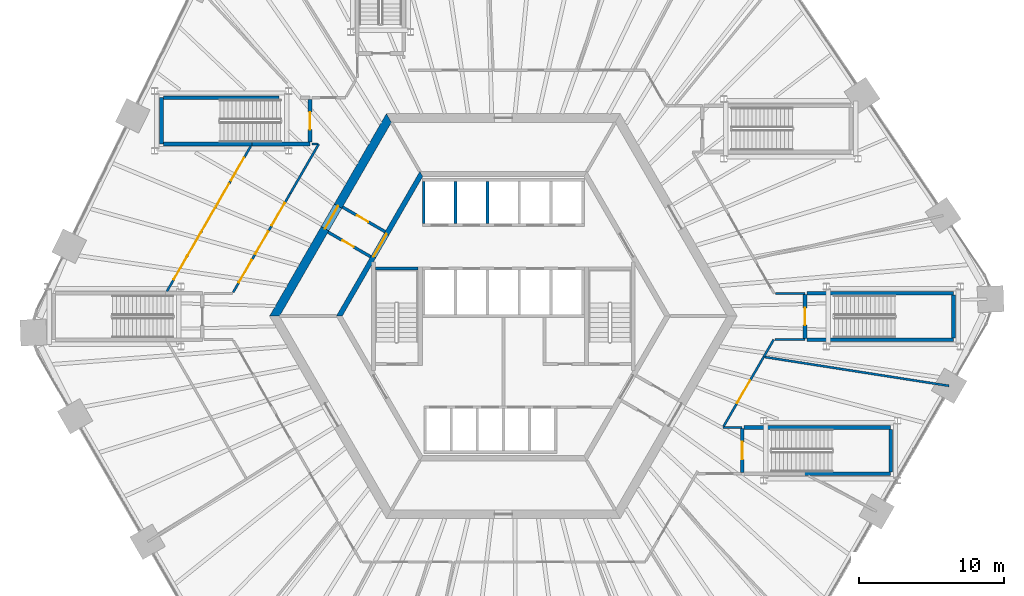
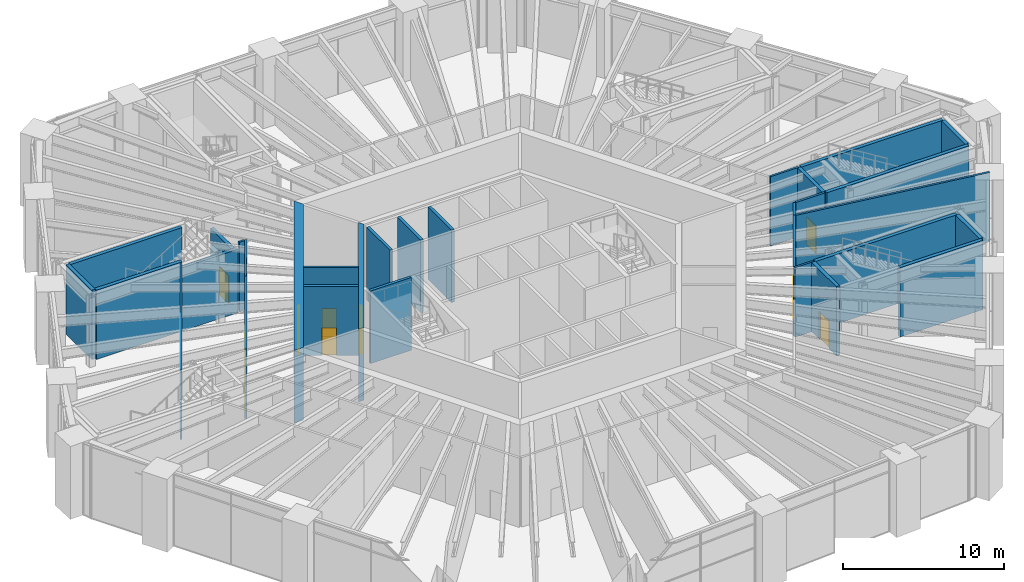
# One storey, part 23 of 30: 31 walls, 16 doors, 16 openings.
"""IFC4 building model written with IfcOpenShell, lengths in metres."""

import ifcopenshell
import ifcopenshell.guid

model = None  # the IFC model being written
_history = None  # IfcOwnerHistory: only IFC2X3 demands one
_inside = {}  # id of a spatial element -> (the spatial element, [elements in it])
_under = {}  # id of a project, library or spatial element -> (it, [spatial elements below it])
_declared = {}  # id of a project -> (the project, [libraries it declares])
_typed = {}  # id of a type object -> (the type object, [elements of that type])
_made_of = {}  # id of a material, layer set ... -> (it, [elements and type objects made of it])


def new_model(schema):
    """Start an empty IFC model of exactly this schema.

    Asked for "IFC4X3", IfcOpenShell would pick the latest addendum, in which some entities
    have other attributes; the version numbers below select the first issue.
    IFC2X3 requires an IfcOwnerHistory on every rooted entity: one is made here for all.
    """
    global model, _history
    if schema == "IFC4X3":
        model = ifcopenshell.file(schema_version=(4, 3, 0, 0))
    else:
        model = ifcopenshell.file(schema=schema)
    _inside.clear()
    _under.clear()
    _declared.clear()
    _typed.clear()
    _made_of.clear()
    _history = None
    if model.schema == "IFC2X3":
        org = make("IfcOrganization", Name="unknown")
        user = make(
            "IfcPersonAndOrganization",
            ThePerson=make("IfcPerson", FamilyName="unknown"),
            TheOrganization=org,
        )
        app = make(
            "IfcApplication",
            ApplicationDeveloper=org,
            Version="unknown",
            ApplicationFullName="unknown",
            ApplicationIdentifier="unknown",
        )
        _history = make(
            "IfcOwnerHistory",
            OwningUser=user,
            OwningApplication=app,
            ChangeAction="ADDED",
            CreationDate=0,
        )
    return model


def make(cls, **values):
    """One entity of the class cls with the attributes given. An attribute that is None is left unset."""
    return model.create_entity(
        cls, **{name: value for name, value in values.items() if value is not None}
    )


def rooted(cls, **values):
    """An entity with a GlobalId (a new one), such as an element, a storey or a relation."""
    return make(cls, GlobalId=ifcopenshell.guid.new(), OwnerHistory=_history, **values)


def si_unit(unit_type, name, prefix=None):
    """IfcSIUnit, for example si_unit("LENGTHUNIT", "METRE", prefix="MILLI")."""
    return make("IfcSIUnit", UnitType=unit_type, Prefix=prefix, Name=name)


def assignment(units):
    """IfcUnitAssignment: the units of a project."""
    return None if units is None else make("IfcUnitAssignment", Units=units)


def point(xyz):
    """IfcCartesianPoint."""
    return None if xyz is None else make("IfcCartesianPoint", Coordinates=xyz)


def direction(xyz):
    """IfcDirection."""
    return None if xyz is None else make("IfcDirection", DirectionRatios=xyz)


def frame(location, z_axis=None, x_axis=None):
    """IfcAxis2Placement3D, a coordinate frame: its origin and axes. An axis left out is left unset."""
    return make(
        "IfcAxis2Placement3D",
        Location=point(location),
        Axis=direction(z_axis),
        RefDirection=direction(x_axis),
    )


def frame_2d(location, x_axis=None):
    """IfcAxis2Placement2D, a coordinate frame in the plane: its origin and x axis."""
    return make(
        "IfcAxis2Placement2D", Location=point(location), RefDirection=direction(x_axis)
    )


def origin():
    """The frame at (0, 0, 0) with its axes left unset."""
    return frame((0.0, 0.0, 0.0))


def place(relative_to, where):
    """IfcLocalPlacement: puts the frame where relative to a parent placement (None: the world)."""
    return make(
        "IfcLocalPlacement", PlacementRelTo=relative_to, RelativePlacement=where
    )


def context(
    kind, dimensions, precision=None, world=None, true_north=None, identifier=None
):
    """IfcGeometricRepresentationContext, for example the 3D "Model" context."""
    return make(
        "IfcGeometricRepresentationContext",
        ContextIdentifier=identifier,
        ContextType=kind,
        CoordinateSpaceDimension=dimensions,
        Precision=precision,
        WorldCoordinateSystem=world,
        TrueNorth=true_north,
    )


def subcontext(parent, identifier, kind, view, scale=None):
    """IfcGeometricRepresentationSubContext, for example "Body" below "Model"."""
    return make(
        "IfcGeometricRepresentationSubContext",
        ContextIdentifier=identifier,
        ContextType=kind,
        ParentContext=parent,
        TargetScale=scale,
        TargetView=view,
    )


def project(units=None, contexts=None):
    """IfcProject with its units and contexts."""
    return rooted(
        "IfcProject",
        Name="project",
        RepresentationContexts=contexts,
        UnitsInContext=assignment(units),
    )


def spatial(cls, under=None, at=None, **own):
    """A site, building, storey or space (cls), placed at a placement, below another one or the project."""
    s = rooted(cls, ObjectPlacement=at, **own)
    if under is not None:
        _under.setdefault(under.id(), (under, []))[1].append(s)
    return s


def polyline(points):
    """IfcPolyline through the points."""
    return make("IfcPolyline", Points=[point(p) for p in points])


def profile(cls, at=None, kind="AREA", **sizes):
    """A parametric profile (cls). Its sizes go by their IFC names, for example OverallWidth=200.0."""
    return make(cls, ProfileType=kind, Position=at, **sizes)


def rectangle(**sizes):
    """IfcRectangleProfileDef."""
    return profile("IfcRectangleProfileDef", **sizes)


def outline(outer, holes=None, kind="AREA"):
    """IfcArbitraryClosedProfileDef: a profile drawn as a closed curve; with holes, ...WithVoids."""
    if holes is None:
        return make("IfcArbitraryClosedProfileDef", ProfileType=kind, OuterCurve=outer)
    return make(
        "IfcArbitraryProfileDefWithVoids",
        ProfileType=kind,
        OuterCurve=outer,
        InnerCurves=holes,
    )


def extrude(swept, where, along, depth):
    """IfcExtrudedAreaSolid: the profile swept, set in the frame where, extruded along a direction by depth."""
    return make(
        "IfcExtrudedAreaSolid",
        SweptArea=swept,
        Position=where,
        ExtrudedDirection=direction(along),
        Depth=depth,
    )


def shape(context_of_items, identifier, shape_type, items):
    """IfcShapeRepresentation: the items that make up one representation, for example the "Body"."""
    return make(
        "IfcShapeRepresentation",
        ContextOfItems=context_of_items,
        RepresentationIdentifier=identifier,
        RepresentationType=shape_type,
        Items=items,
    )


def material(Name=None, Category=None):
    """IfcMaterial."""
    return make("IfcMaterial", Name=Name, Category=Category)


def layer(
    of_material, thickness, ventilated=None, Name=None, Category=None, Priority=None
):
    """IfcMaterialLayer: one layer of a wall or slab, of a material (None: an air gap)."""
    return make(
        "IfcMaterialLayer",
        Material=of_material,
        LayerThickness=thickness,
        IsVentilated=ventilated,
        Name=Name,
        Category=Category,
        Priority=Priority,
    )


def layer_set(layers, Name=None):
    """IfcMaterialLayerSet."""
    return make("IfcMaterialLayerSet", MaterialLayers=layers, LayerSetName=Name)


def made_of(thing, what):
    """Note that an element or type object is made of a material, layer set ...; save() writes the relation."""
    if what is not None:
        _made_of.setdefault(what.id(), (what, []))[1].append(thing)
    return thing


def type_object(cls, material=None, **own):
    """A type object (cls), such as IfcWallType, which elements share."""
    return made_of(rooted(cls, **own), material)


def element(
    cls,
    number,
    at=None,
    inside=None,
    cuts=None,
    type_object=None,
    material=None,
    context=None,
    identifier="Body",
    shape_type=None,
    held_by="IfcProductDefinitionShape",
    body=None,
    shapes=None,
    **own,
):
    """One element of the class cls, such as IfcWall. Its Tag is "e" and its number.

    at: its placement. inside: the storey or other place that contains it. cuts: it is an
    opening in that element (IfcRelVoidsElement). A single representation is given by context,
    identifier, shape_type and body (its items); several are given by shapes. held_by: the class
    of the entity that holds the representations. save() writes the other relations.
    """
    e = rooted(cls, Tag="e%d" % number, ObjectPlacement=at, **own)
    if body is not None:
        shapes = [shape(context, identifier, shape_type, body)]
    if shapes is not None:
        e.Representation = make(held_by, Representations=shapes)
    if inside is not None:
        _inside.setdefault(inside.id(), (inside, []))[1].append(e)
    if cuts is not None:
        rooted(
            "IfcRelVoidsElement", RelatingBuildingElement=cuts, RelatedOpeningElement=e
        )
    if type_object is not None:
        _typed.setdefault(type_object.id(), (type_object, []))[1].append(e)
    return made_of(e, material)


def fill(opening, filler):
    """IfcRelFillsElement: the door or window that sits in an opening."""
    return rooted(
        "IfcRelFillsElement",
        RelatingOpeningElement=opening,
        RelatedBuildingElement=filler,
    )


def aggregate(whole, parts):
    """IfcRelAggregates: a whole, such as a stair, and the parts it consists of."""
    return rooted("IfcRelAggregates", RelatingObject=whole, RelatedObjects=parts)


def save(model, path):
    """Write the relations noted so far, then the file.

    IfcRelAggregates (storeys below a building ...), IfcRelContainedInSpatialStructure (elements
    in a storey), IfcRelDefinesByType, IfcRelAssociatesMaterial and IfcRelDeclares: one each for
    every whole, place, type object, material and project.
    """
    for whole, parts in _under.values():
        aggregate(whole, parts)
    for where, things in _inside.values():
        rooted(
            "IfcRelContainedInSpatialStructure",
            RelatedElements=things,
            RelatingStructure=where,
        )
    for kind, things in _typed.values():
        rooted("IfcRelDefinesByType", RelatedObjects=things, RelatingType=kind)
    for what, things in _made_of.values():
        rooted("IfcRelAssociatesMaterial", RelatedObjects=things, RelatingMaterial=what)
    for by, libraries in _declared.values():
        rooted("IfcRelDeclares", RelatingContext=by, RelatedDefinitions=libraries)
    model.write(path)


model = new_model("IFC4")

# Units and contexts
model_context = context("Model", 3, precision=1e-05, world=origin(), true_north=direction((0.0, 1.0)))
body_context = subcontext(model_context, "Body", "Model", "MODEL_VIEW")
ifc_project = project(units=[si_unit("LENGTHUNIT", "METRE"), si_unit("AREAUNIT", "SQUARE_METRE"), si_unit("VOLUMEUNIT", "CUBIC_METRE"), si_unit("PLANEANGLEUNIT", "RADIAN"), si_unit("MASSUNIT", "GRAM", prefix="KILO")], contexts=[model_context])

# Site, building, storey
site_placement = place(None, origin())
site = spatial("IfcSite", under=ifc_project, at=site_placement, CompositionType="ELEMENT")
building_placement = place(site_placement, origin())
building = spatial("IfcBuilding", under=site, at=building_placement, Name="Tarnside Tower", CompositionType="ELEMENT")
storey_placement = place(building_placement, frame((0.0, 0.0, 15.0)))
storey = spatial("IfcBuildingStorey", under=building, at=storey_placement, Name="L02", CompositionType="ELEMENT", Elevation=15.0)

# Wall, opening, door
ifc_material_1 = material(Name="Concrete C50/60", Category="concrete")
ifc_layer_1 = layer(ifc_material_1, 0.35009765625)
ifc_layer_set_1 = layer_set([ifc_layer_1], Name="Core block wall 350 C50/60")
wall_type_1 = type_object("IfcWallType", Name="Core block wall 350 C50/60", PredefinedType="SHEAR", material=ifc_layer_set_1)
wall_1_placement = place(storey_placement, frame((-5.672607421875, 9.824951171875, -0.25), z_axis=(0.0, 0.0, 1.0), x_axis=(-0.499995046907, -0.866028263435, 0.0)))
wall_1 = element("IfcWall", 1, at=wall_1_placement, inside=storey, type_object=wall_type_1, Name="L02 core block wall face 2", PredefinedType="SHEAR", context=body_context, shape_type="SweptSolid", body=[
    extrude(outline(polyline([(-0.10107421875, -0.175048828125), (11.44580078125, -0.175048828125), (11.24365234375, 0.175048828125), (0.10107421875, 0.175048828125), (-0.10107421875, -0.175048828125)])), origin(), (0.0, 0.0, 1.0), 5.5),
])
opening_1_placement = place(wall_1_placement, frame((4.80126953125, 0.0, 0.25)))
opening_1 = element("IfcOpeningElement", 2, at=opening_1_placement, cuts=wall_1, Name="Opening CD-LOB", PredefinedType="OPENING", context=body_context, shape_type="SweptSolid", body=[
    extrude(rectangle(XDim=1.800048828125, YDim=2.39990234375, at=frame_2d((0.89990234375, 1.199951171875))), frame((0.0, 0.18505859375, 0.0), z_axis=(0.0, -1.0, 0.0), x_axis=(1.0, 0.0, 0.0)), (0.0, 0.0, 1.0), 0.3701171875),
])
ifc_material_2 = material(Name="Steel fire door", Category="steel")
door_type_1 = type_object("IfcDoorType", Name="Lobby double door FD30S 1800x2400", OperationType="NOTDEFINED", PredefinedType="DOOR", material=ifc_material_2)
door_1_placement = place(opening_1_placement, origin())
door_1 = element("IfcDoor", 3, at=door_1_placement, inside=storey, type_object=door_type_1, Name="L02 lobby block door P1", OperationType="DOUBLE_DOOR_SINGLE_SWING", OverallHeight=2.39990234375, OverallWidth=1.800048828125, PredefinedType="DOOR", context=body_context, shape_type="SweptSolid", body=[
    extrude(rectangle(XDim=1.800048828125, YDim=2.39990234375, at=frame_2d((0.89990234375, 1.199951171875))), frame((0.0, 0.02490234375, 0.0), z_axis=(0.0, -1.0, 0.0), x_axis=(1.0, 0.0, 0.0)), (0.0, 0.0, 1.0), 0.050048828125),
])
fill(opening_1, door_1)

ifc_material_3 = material(Name="Concrete C40/50", Category="concrete")
ifc_layer_2 = layer(ifc_material_3, 0.199951171875)
ifc_layer_set_2 = layer_set([ifc_layer_2], Name="Core room partition 200 C40/50")
wall_type_2 = type_object("IfcWallType", Name="Core room partition 200 C40/50", PredefinedType="PARTITIONING", material=ifc_layer_set_2)
wall_2_placement = place(storey_placement, frame((-9.1748046875, 4.10888671875, 0.0), z_axis=(0.0, 0.0, 1.0), x_axis=(-0.865989465428, 0.500062241894, 0.0)))
wall_2 = element("IfcWall", 4, at=wall_2_placement, inside=storey, type_object=wall_type_2, Name="L02 core partition AC1L", PredefinedType="PARTITIONING", context=body_context, shape_type="SweptSolid", body=[
    extrude(rectangle(XDim=3.39990234375, YDim=0.199951171875, at=frame_2d((1.699951171875, 0.0))), origin(), (0.0, 0.0, 1.0), 5.25),
])
opening_2_placement = place(wall_2_placement, frame((1.3505859375, 0.0, 0.0)))
opening_2 = element("IfcOpeningElement", 5, at=opening_2_placement, cuts=wall_2, Name="Opening CD-room", PredefinedType="OPENING", context=body_context, shape_type="SweptSolid", body=[
    extrude(rectangle(XDim=0.89990234375, YDim=2.10009765625, at=frame_2d((0.449951171875, 1.050048828125))), frame((0.0, 0.10986328125, 0.0), z_axis=(0.0, -1.0, 0.0), x_axis=(1.0, 0.0, 0.0)), (0.0, 0.0, 1.0), 0.219970703125),
])
door_type_2 = type_object("IfcDoorType", Name="Room door FD60 900x2100", OperationType="NOTDEFINED", PredefinedType="DOOR", material=ifc_material_2)
door_2_placement = place(opening_2_placement, origin())
door_2 = element("IfcDoor", 6, at=door_2_placement, inside=storey, type_object=door_type_2, Name="L02 core room door AX1L", OperationType="SINGLE_SWING_LEFT", OverallHeight=2.10009765625, OverallWidth=0.89990234375, PredefinedType="DOOR", context=body_context, shape_type="SweptSolid", body=[
    extrude(rectangle(XDim=0.89990234375, YDim=2.10009765625, at=frame_2d((0.449951171875, 1.050048828125))), frame((0.0, 0.02490234375, 0.0), z_axis=(0.0, -1.0, 0.0), x_axis=(1.0, 0.0, 0.0)), (0.0, 0.0, 1.0), 0.050048828125),
])
fill(opening_2, door_2)

wall_3_placement = place(storey_placement, frame((-8.1748046875, 5.841064453125, 0.0), z_axis=(0.0, 0.0, 1.0), x_axis=(-0.866020560687, 0.500008388397, 0.0)))
wall_3 = element("IfcWall", 7, at=wall_3_placement, inside=storey, type_object=wall_type_2, Name="L02 core partition AC1R", PredefinedType="PARTITIONING", context=body_context, shape_type="SweptSolid", body=[
    extrude(rectangle(XDim=3.39990234375, YDim=0.199951171875, at=frame_2d((1.699951171875, 0.0))), origin(), (0.0, 0.0, 1.0), 5.25),
])
opening_3_placement = place(wall_3_placement, frame((1.349609375, 0.0, 0.0)))
opening_3 = element("IfcOpeningElement", 8, at=opening_3_placement, cuts=wall_3, Name="Opening CD-room", PredefinedType="OPENING", context=body_context, shape_type="SweptSolid", body=[
    extrude(rectangle(XDim=0.89990234375, YDim=2.10009765625, at=frame_2d((0.449951171875, 1.050048828125))), frame((0.0, 0.10986328125, 0.0), z_axis=(0.0, -1.0, 0.0), x_axis=(1.0, 0.0, 0.0)), (0.0, 0.0, 1.0), 0.219970703125),
])
door_3_placement = place(opening_3_placement, origin())
door_3 = element("IfcDoor", 9, at=door_3_placement, inside=storey, type_object=door_type_2, Name="L02 core room door AX1R", OperationType="SINGLE_SWING_LEFT", OverallHeight=2.10009765625, OverallWidth=0.89990234375, PredefinedType="DOOR", context=body_context, shape_type="SweptSolid", body=[
    extrude(rectangle(XDim=0.89990234375, YDim=2.10009765625, at=frame_2d((0.449951171875, 1.050048828125))), frame((0.0, 0.02490234375, 0.0), z_axis=(0.0, -1.0, 0.0), x_axis=(1.0, 0.0, 0.0)), (0.0, 0.0, 1.0), 0.050048828125),
])
fill(opening_3, door_3)

ifc_material_4 = material(Name="Concrete C80/95", Category="concrete")
ifc_layer_3 = layer(ifc_material_4, 0.60009765625)
ifc_layer_set_3 = layer_set([ifc_layer_3], Name="Core wall Z1 600 C80/95")
wall_type_3 = type_object("IfcWallType", Name="Core wall Z1 600 C80/95", PredefinedType="SHEAR", material=ifc_layer_set_3)
wall_4_placement = place(storey_placement, frame((-7.90966796875, 13.699951171875, -0.25), z_axis=(0.0, 0.0, 1.0), x_axis=(-0.499999880136, -0.866025472988, 0.0)))
wall_4 = element("IfcWall", 10, at=wall_4_placement, inside=storey, type_object=wall_type_3, Name="L02 core wall face 2", PredefinedType="SHEAR", context=body_context, shape_type="SweptSolid", body=[
    extrude(outline(polyline([(-0.17333984375, -0.300048828125), (15.99267578125, -0.300048828125), (15.64599609375, 0.300048828125), (0.17333984375, 0.300048828125), (-0.17333984375, -0.300048828125)])), origin(), (0.0, 0.0, 1.0), 5.5),
])
opening_4_placement = place(wall_4_placement, frame((7.03857421875, 0.0, 0.25)))
opening_4 = element("IfcOpeningElement", 11, at=opening_4_placement, cuts=wall_4, Name="Opening CD-LOB", PredefinedType="OPENING", context=body_context, shape_type="SweptSolid", body=[
    extrude(rectangle(XDim=1.800048828125, YDim=2.39990234375, at=frame_2d((0.89990234375, 1.199951171875))), frame((0.0, 0.31005859375, 0.0), z_axis=(0.0, -1.0, 0.0), x_axis=(1.0, 0.0, 0.0)), (0.0, 0.0, 1.0), 0.6201171875),
])
door_4_placement = place(opening_4_placement, origin())
door_4 = element("IfcDoor", 12, at=door_4_placement, inside=storey, type_object=door_type_1, Name="L02 core door P1", OperationType="DOUBLE_DOOR_SINGLE_SWING", OverallHeight=2.39990234375, OverallWidth=1.800048828125, PredefinedType="DOOR", context=body_context, shape_type="SweptSolid", body=[
    extrude(rectangle(XDim=1.800048828125, YDim=2.39990234375, at=frame_2d((0.89990234375, 1.199951171875))), frame((0.0, 0.02490234375, 0.0), z_axis=(0.0, -1.0, 0.0), x_axis=(1.0, 0.0, 0.0)), (0.0, 0.0, 1.0), 0.050048828125),
])
fill(opening_4, door_4)

# Walls
ifc_layer_4 = layer(ifc_material_3, 0.199951171875)
ifc_layer_set_4 = layer_set([ifc_layer_4], Name="Lift shaft wall 200 C40/50")
wall_type_4 = type_object("IfcWallType", Name="Lift shaft wall 200 C40/50", PredefinedType="SHEAR", material=ifc_layer_set_4)
for number, where, z_axis, x_axis, name in (
    (13, (-5.5, 6.39990234375, -0.25), (0.0, 0.0, 1.0), (0.0, 1.0, 0.0), "L02 lift shaft partition R11"),
    (14, (-3.300048828125, 6.39990234375, -0.25), (0.0, 0.0, 1.0), (0.0, 1.0, 0.0), "L02 lift shaft partition R12"),
    (15, (-1.10009765625, 6.39990234375, -0.25), (0.0, 0.0, 1.0), (0.0, 1.0, 0.0), "L02 lift shaft partition R13"),
):
    element("IfcWall", number, at=place(storey_placement, frame(where, z_axis=z_axis, x_axis=x_axis)), inside=storey, type_object=wall_type_4, Name=name, PredefinedType="SHEAR", context=body_context, shape_type="SweptSolid", body=[
        extrude(rectangle(XDim=2.900146484375, YDim=0.199951171875, at=frame_2d((1.4501953125, 0.0))), origin(), (0.0, 0.0, 1.0), 5.5),
    ])
wall_5_placement = place(storey_placement, frame((-8.85009765625, 3.300048828125, -0.25), z_axis=(0.0, 0.0, 1.0), x_axis=(1.0, 0.0, 0.0)))
element("IfcWall", 16, at=wall_5_placement, inside=storey, type_object=wall_type_4, Name="L02 stair 2 enclosure cap wall n", PredefinedType="SHEAR", context=body_context, shape_type="SweptSolid", body=[
    extrude(rectangle(XDim=2.9501953125, YDim=0.199951171875, at=frame_2d((1.47509765625, 0.0))), origin(), (0.0, 0.0, 1.0), 5.5),
])

# Wall, openings, doors
ifc_material_5 = material(Name="Gypsum board")
ifc_layer_5 = layer(ifc_material_5, 0.14990234375)
ifc_layer_set_5 = layer_set([ifc_layer_5], Name="Partition 150 gypsum board on metal stud")
wall_type_5 = type_object("IfcWallType", Name="Partition 150 gypsum board on metal stud", PredefinedType="PARTITIONING", material=ifc_layer_set_5)
wall_6_placement = place(storey_placement, frame((-23.267822265625, 1.699951171875, 0.0), z_axis=(0.0, 0.0, 1.0), x_axis=(0.500054871588, 0.86599372134, 0.0)))
wall_6 = element("IfcWall", 17, at=wall_6_placement, inside=storey, type_object=wall_type_5, Name="Partition 017", PredefinedType="PARTITIONING", context=body_context, shape_type="SweptSolid", body=[
    extrude(rectangle(XDim=11.634033203125, YDim=0.14990234375, at=frame_2d((5.81689453125, 0.0))), origin(), (0.0, 0.0, 1.0), 5.25),
])
opening_5_placement = place(wall_6_placement, frame((8.87939453125, 0.0, 0.0)))
opening_5 = element("IfcOpeningElement", 18, at=opening_5_placement, cuts=wall_6, Name="Opening D1800F30", PredefinedType="OPENING", context=body_context, shape_type="SweptSolid", body=[
    extrude(rectangle(XDim=1.800048828125, YDim=2.10009765625, at=frame_2d((0.89990234375, 1.050048828125))), frame((0.0, 0.0849609375, 0.0), z_axis=(0.0, -1.0, 0.0), x_axis=(1.0, 0.0, 0.0)), (0.0, 0.0, 1.0), 0.169921875),
])
opening_6_placement = place(wall_6_placement, frame((6.8037109375, 0.0, 0.0)))
opening_6 = element("IfcOpeningElement", 19, at=opening_6_placement, cuts=wall_6, Name="Opening D1800F30", PredefinedType="OPENING", context=body_context, shape_type="SweptSolid", body=[
    extrude(rectangle(XDim=1.800048828125, YDim=2.10009765625, at=frame_2d((0.89990234375, 1.050048828125))), frame((0.0, 0.0849609375, 0.0), z_axis=(0.0, -1.0, 0.0), x_axis=(1.0, 0.0, 0.0)), (0.0, 0.0, 1.0), 0.169921875),
])
opening_7_placement = place(wall_6_placement, frame((4.853759765625, 0.0, 0.0)))
opening_7 = element("IfcOpeningElement", 20, at=opening_7_placement, cuts=wall_6, Name="Opening D1800F30", PredefinedType="OPENING", context=body_context, shape_type="SweptSolid", body=[
    extrude(rectangle(XDim=1.800048828125, YDim=2.10009765625, at=frame_2d((0.89990234375, 1.050048828125))), frame((0.0, 0.0849609375, 0.0), z_axis=(0.0, -1.0, 0.0), x_axis=(1.0, 0.0, 0.0)), (0.0, 0.0, 1.0), 0.169921875),
])
opening_8_placement = place(wall_6_placement, frame((2.90380859375, 0.0, 0.0)))
opening_8 = element("IfcOpeningElement", 21, at=opening_8_placement, cuts=wall_6, Name="Opening D1800F30", PredefinedType="OPENING", context=body_context, shape_type="SweptSolid", body=[
    extrude(rectangle(XDim=1.800048828125, YDim=2.10009765625, at=frame_2d((0.89990234375, 1.050048828125))), frame((0.0, 0.0849609375, 0.0), z_axis=(0.0, -1.0, 0.0), x_axis=(1.0, 0.0, 0.0)), (0.0, 0.0, 1.0), 0.169921875),
])
opening_9_placement = place(wall_6_placement, frame((0.954833984375, 0.0, 0.0)))
opening_9 = element("IfcOpeningElement", 22, at=opening_9_placement, cuts=wall_6, Name="Opening D1800F30", PredefinedType="OPENING", context=body_context, shape_type="SweptSolid", body=[
    extrude(rectangle(XDim=1.800048828125, YDim=2.10009765625, at=frame_2d((0.89990234375, 1.050048828125))), frame((0.0, 0.0849609375, 0.0), z_axis=(0.0, -1.0, 0.0), x_axis=(1.0, 0.0, 0.0)), (0.0, 0.0, 1.0), 0.169921875),
])
ifc_material_6 = material(Name="Timber door leaf", Category="wood")
door_type_3 = type_object("IfcDoorType", Name="Door pair 1800 x 2100 FD30S fire door", OperationType="NOTDEFINED", PredefinedType="DOOR", material=ifc_material_6)
door_5_placement = place(opening_5_placement, origin())
door_5 = element("IfcDoor", 23, at=door_5_placement, inside=storey, type_object=door_type_3, Name="Door L02-05", OperationType="DOUBLE_DOOR_SINGLE_SWING", OverallHeight=2.10009765625, OverallWidth=1.800048828125, PredefinedType="DOOR", context=body_context, shape_type="SweptSolid", body=[
    extrude(rectangle(XDim=1.800048828125, YDim=2.10009765625, at=frame_2d((0.89990234375, 1.050048828125))), frame((0.0, 0.02490234375, 0.0), z_axis=(0.0, -1.0, 0.0), x_axis=(1.0, 0.0, 0.0)), (0.0, 0.0, 1.0), 0.050048828125),
])
fill(opening_5, door_5)
door_6_placement = place(opening_6_placement, origin())
door_6 = element("IfcDoor", 24, at=door_6_placement, inside=storey, type_object=door_type_3, Name="Door L02-06", OperationType="DOUBLE_DOOR_SINGLE_SWING", OverallHeight=2.10009765625, OverallWidth=1.800048828125, PredefinedType="DOOR", context=body_context, shape_type="SweptSolid", body=[
    extrude(rectangle(XDim=1.800048828125, YDim=2.10009765625, at=frame_2d((0.89990234375, 1.050048828125))), frame((0.0, 0.02490234375, 0.0), z_axis=(0.0, -1.0, 0.0), x_axis=(1.0, 0.0, 0.0)), (0.0, 0.0, 1.0), 0.050048828125),
])
fill(opening_6, door_6)
door_7_placement = place(opening_7_placement, origin())
door_7 = element("IfcDoor", 25, at=door_7_placement, inside=storey, type_object=door_type_3, Name="Door L02-07", OperationType="DOUBLE_DOOR_SINGLE_SWING", OverallHeight=2.10009765625, OverallWidth=1.800048828125, PredefinedType="DOOR", context=body_context, shape_type="SweptSolid", body=[
    extrude(rectangle(XDim=1.800048828125, YDim=2.10009765625, at=frame_2d((0.89990234375, 1.050048828125))), frame((0.0, 0.02490234375, 0.0), z_axis=(0.0, -1.0, 0.0), x_axis=(1.0, 0.0, 0.0)), (0.0, 0.0, 1.0), 0.050048828125),
])
fill(opening_7, door_7)
door_8_placement = place(opening_8_placement, origin())
door_8 = element("IfcDoor", 26, at=door_8_placement, inside=storey, type_object=door_type_3, Name="Door L02-08", OperationType="DOUBLE_DOOR_SINGLE_SWING", OverallHeight=2.10009765625, OverallWidth=1.800048828125, PredefinedType="DOOR", context=body_context, shape_type="SweptSolid", body=[
    extrude(rectangle(XDim=1.800048828125, YDim=2.10009765625, at=frame_2d((0.89990234375, 1.050048828125))), frame((0.0, 0.02490234375, 0.0), z_axis=(0.0, -1.0, 0.0), x_axis=(1.0, 0.0, 0.0)), (0.0, 0.0, 1.0), 0.050048828125),
])
fill(opening_8, door_8)
door_9_placement = place(opening_9_placement, origin())
door_9 = element("IfcDoor", 27, at=door_9_placement, inside=storey, type_object=door_type_3, Name="Door L02-09", OperationType="DOUBLE_DOOR_SINGLE_SWING", OverallHeight=2.10009765625, OverallWidth=1.800048828125, PredefinedType="DOOR", context=body_context, shape_type="SweptSolid", body=[
    extrude(rectangle(XDim=1.800048828125, YDim=2.10009765625, at=frame_2d((0.89990234375, 1.050048828125))), frame((0.0, 0.02490234375, 0.0), z_axis=(0.0, -1.0, 0.0), x_axis=(1.0, 0.0, 0.0)), (0.0, 0.0, 1.0), 0.050048828125),
])
fill(opening_9, door_9)

wall_7_placement = place(storey_placement, frame((-14.722900390625, 8.5, 0.0), z_axis=(0.0, 0.0, 1.0), x_axis=(-0.499993197506, -0.86602933117, 0.0)))
wall_7 = element("IfcWall", 28, at=wall_7_placement, inside=storey, type_object=wall_type_5, Name="Partition 020", PredefinedType="PARTITIONING", context=body_context, shape_type="SweptSolid", body=[
    extrude(rectangle(XDim=7.90966796875, YDim=0.14990234375, at=frame_2d((3.954833984375, 0.0))), origin(), (0.0, 0.0, 1.0), 5.25),
])
opening_10_placement = place(wall_7_placement, frame((0.77099609375, 0.0, 0.0)))
opening_10 = element("IfcOpeningElement", 29, at=opening_10_placement, cuts=wall_7, Name="Opening D1800F30", PredefinedType="OPENING", context=body_context, shape_type="SweptSolid", body=[
    extrude(rectangle(XDim=1.800048828125, YDim=2.10009765625, at=frame_2d((0.89990234375, 1.050048828125))), frame((0.0, 0.0849609375, 0.0), z_axis=(0.0, -1.0, 0.0), x_axis=(1.0, 0.0, 0.0)), (0.0, 0.0, 1.0), 0.169921875),
])
opening_11_placement = place(wall_7_placement, frame((3.054931640625, 0.0, 0.0)))
opening_11 = element("IfcOpeningElement", 30, at=opening_11_placement, cuts=wall_7, Name="Opening D1800F30", PredefinedType="OPENING", context=body_context, shape_type="SweptSolid", body=[
    extrude(rectangle(XDim=1.800048828125, YDim=2.10009765625, at=frame_2d((0.89990234375, 1.050048828125))), frame((0.0, 0.0849609375, 0.0), z_axis=(0.0, -1.0, 0.0), x_axis=(1.0, 0.0, 0.0)), (0.0, 0.0, 1.0), 0.169921875),
])
opening_12_placement = place(wall_7_placement, frame((5.338623046875, 0.0, 0.0)))
opening_12 = element("IfcOpeningElement", 31, at=opening_12_placement, cuts=wall_7, Name="Opening D1800F30", PredefinedType="OPENING", context=body_context, shape_type="SweptSolid", body=[
    extrude(rectangle(XDim=1.800048828125, YDim=2.10009765625, at=frame_2d((0.89990234375, 1.050048828125))), frame((0.0, 0.0849609375, 0.0), z_axis=(0.0, -1.0, 0.0), x_axis=(1.0, 0.0, 0.0)), (0.0, 0.0, 1.0), 0.169921875),
])
door_10_placement = place(opening_10_placement, origin())
door_10 = element("IfcDoor", 32, at=door_10_placement, inside=storey, type_object=door_type_3, Name="Door L02-10", OperationType="DOUBLE_DOOR_SINGLE_SWING", OverallHeight=2.10009765625, OverallWidth=1.800048828125, PredefinedType="DOOR", context=body_context, shape_type="SweptSolid", body=[
    extrude(rectangle(XDim=1.800048828125, YDim=2.10009765625, at=frame_2d((0.89990234375, 1.050048828125))), frame((0.0, 0.02490234375, 0.0), z_axis=(0.0, -1.0, 0.0), x_axis=(1.0, 0.0, 0.0)), (0.0, 0.0, 1.0), 0.050048828125),
])
fill(opening_10, door_10)
door_11_placement = place(opening_11_placement, origin())
door_11 = element("IfcDoor", 33, at=door_11_placement, inside=storey, type_object=door_type_3, Name="Door L02-11", OperationType="DOUBLE_DOOR_SINGLE_SWING", OverallHeight=2.10009765625, OverallWidth=1.800048828125, PredefinedType="DOOR", context=body_context, shape_type="SweptSolid", body=[
    extrude(rectangle(XDim=1.800048828125, YDim=2.10009765625, at=frame_2d((0.89990234375, 1.050048828125))), frame((0.0, 0.02490234375, 0.0), z_axis=(0.0, -1.0, 0.0), x_axis=(1.0, 0.0, 0.0)), (0.0, 0.0, 1.0), 0.050048828125),
])
fill(opening_11, door_11)
door_12_placement = place(opening_12_placement, origin())
door_12 = element("IfcDoor", 34, at=door_12_placement, inside=storey, type_object=door_type_3, Name="Door L02-12", OperationType="DOUBLE_DOOR_SINGLE_SWING", OverallHeight=2.10009765625, OverallWidth=1.800048828125, PredefinedType="DOOR", context=body_context, shape_type="SweptSolid", body=[
    extrude(rectangle(XDim=1.800048828125, YDim=2.10009765625, at=frame_2d((0.89990234375, 1.050048828125))), frame((0.0, 0.02490234375, 0.0), z_axis=(0.0, -1.0, 0.0), x_axis=(1.0, 0.0, 0.0)), (0.0, 0.0, 1.0), 0.050048828125),
])
fill(opening_12, door_12)

# Walls
wall_8_placement = place(storey_placement, frame((-12.760009765625, 11.89990234375, 0.0), z_axis=(0.0, 0.0, 1.0), x_axis=(-0.50009934258, -0.865968040721, 0.0)))
element("IfcWall", 35, at=wall_8_placement, inside=storey, type_object=wall_type_5, Name="Partition 026", PredefinedType="PARTITIONING", context=body_context, shape_type="SweptSolid", body=[
    extrude(rectangle(XDim=3.925048828125, YDim=0.14990234375, at=frame_2d((1.96240234375, 0.0))), origin(), (0.0, 0.0, 1.0), 5.25),
])
wall_9_placement = place(storey_placement, frame((-12.845703125, 11.89990234375, 0.0), z_axis=(0.0, 0.0, 1.0), x_axis=(-1.0, 0.0, 0.0)))
element("IfcWall", 36, at=wall_9_placement, inside=storey, type_object=wall_type_5, Name="Partition 027", PredefinedType="PARTITIONING", context=body_context, shape_type="SweptSolid", body=[
    extrude(rectangle(XDim=0.394287109375, YDim=0.14990234375, at=frame_2d((0.197265625, 0.0))), origin(), (0.0, 0.0, 1.0), 5.25),
])
wall_10_placement = place(storey_placement, frame((15.18408203125, -7.699951171875, 0.0), z_axis=(0.0, 0.0, 1.0), x_axis=(1.0, 0.0, 0.0)))
element("IfcWall", 37, at=wall_10_placement, inside=storey, type_object=wall_type_5, Name="Partition 063", PredefinedType="PARTITIONING", context=body_context, shape_type="SweptSolid", body=[
    extrude(rectangle(XDim=1.330810546875, YDim=0.14990234375, at=frame_2d((0.66552734375, 0.0))), origin(), (0.0, 0.0, 1.0), 5.25),
])

# Wall, opening, door
wall_11_placement = place(storey_placement, frame((18.00390625, -2.81591796875, 0.0), z_axis=(0.0, 0.0, 1.0), x_axis=(-0.500011685716, -0.866018656928, 0.0)))
wall_11 = element("IfcWall", 38, at=wall_11_placement, inside=storey, type_object=wall_type_5, Name="Partition 064", PredefinedType="PARTITIONING", context=body_context, shape_type="SweptSolid", body=[
    extrude(rectangle(XDim=5.552978515625, YDim=0.14990234375, at=frame_2d((2.7763671875, 0.0))), origin(), (0.0, 0.0, 1.0), 5.25),
])
opening_13_placement = place(wall_11_placement, frame((1.87646484375, 0.0, 0.0)))
opening_13 = element("IfcOpeningElement", 39, at=opening_13_placement, cuts=wall_11, Name="Opening D1800F30", PredefinedType="OPENING", context=body_context, shape_type="SweptSolid", body=[
    extrude(rectangle(XDim=1.800048828125, YDim=2.10009765625, at=frame_2d((0.89990234375, 1.050048828125))), frame((0.0, 0.0849609375, 0.0), z_axis=(0.0, -1.0, 0.0), x_axis=(1.0, 0.0, 0.0)), (0.0, 0.0, 1.0), 0.169921875),
])
door_13_placement = place(opening_13_placement, origin())
door_13 = element("IfcDoor", 40, at=door_13_placement, inside=storey, type_object=door_type_3, Name="Door L02-29", OperationType="DOUBLE_DOOR_SINGLE_SWING", OverallHeight=2.10009765625, OverallWidth=1.800048828125, PredefinedType="DOOR", context=body_context, shape_type="SweptSolid", body=[
    extrude(rectangle(XDim=1.800048828125, YDim=2.10009765625, at=frame_2d((0.89990234375, 1.050048828125))), frame((0.0, 0.02490234375, 0.0), z_axis=(0.0, -1.0, 0.0), x_axis=(1.0, 0.0, 0.0)), (0.0, 0.0, 1.0), 0.050048828125),
])
fill(opening_13, door_13)

# Walls
wall_12_placement = place(storey_placement, frame((18.00390625, -2.81591796875, 0.0), z_axis=(0.0, 0.0, 1.0), x_axis=(0.500224363519, 0.865895828689, 0.0)))
element("IfcWall", 41, at=wall_12_placement, inside=storey, type_object=wall_type_5, Name="Partition 071", PredefinedType="PARTITIONING", context=body_context, shape_type="SweptSolid", body=[
    extrude(rectangle(XDim=1.375244140625, YDim=0.14990234375, at=frame_2d((0.6875, 0.0))), origin(), (0.0, 0.0, 1.0), 5.25),
])
wall_13_placement = place(storey_placement, frame((18.8076171875, 1.574951171875, 0.0), z_axis=(0.0, 0.0, 1.0), x_axis=(1.0, 0.0, 0.0)))
element("IfcWall", 42, at=wall_13_placement, inside=storey, type_object=wall_type_5, Name="Partition 073", PredefinedType="PARTITIONING", context=body_context, shape_type="SweptSolid", body=[
    extrude(rectangle(XDim=2.04736328125, YDim=0.14990234375, at=frame_2d((1.023681640625, 0.0))), origin(), (0.0, 0.0, 1.0), 5.25),
])
wall_14_placement = place(storey_placement, frame((20.85498046875, -1.625, 0.0), z_axis=(0.0, 0.0, 1.0), x_axis=(-1.0, 0.0, 0.0)))
element("IfcWall", 43, at=wall_14_placement, inside=storey, type_object=wall_type_5, Name="Partition 076", PredefinedType="PARTITIONING", context=body_context, shape_type="SweptSolid", body=[
    extrude(rectangle(XDim=2.076416015625, YDim=0.14990234375, at=frame_2d((1.0380859375, 0.0))), origin(), (0.0, 0.0, 1.0), 5.25),
])
wall_15_placement = place(storey_placement, frame((30.819091796875, -4.820068359375, 0.0), z_axis=(0.0, 0.0, 1.0), x_axis=(-0.98799117117, 0.154510341693, 0.0)))
element("IfcWall", 44, at=wall_15_placement, inside=storey, type_object=wall_type_5, Name="Partition 086", PredefinedType="PARTITIONING", context=body_context, shape_type="SweptSolid", body=[
    extrude(rectangle(XDim=12.890380859375, YDim=0.14990234375, at=frame_2d((6.4453125, 0.0))), origin(), (0.0, 0.0, 1.0), 5.25),
])
ifc_material_7 = material(Name="Concrete C32/40", Category="concrete")
ifc_layer_6 = layer(ifc_material_7, 0.25)
ifc_layer_set_6 = layer_set([ifc_layer_6], Name="Wall 250 reinforced Concrete C32/40")
wall_type_6 = type_object("IfcWallType", Name="Wall 250 reinforced Concrete C32/40", PredefinedType="PARTITIONING", material=ifc_layer_set_6)
wall_16_placement = place(storey_placement, frame((-23.635009765625, 11.89990234375, 0.0), z_axis=(0.0, 0.0, 1.0), x_axis=(0.0, 1.0, 0.0)))
element("IfcWall", 45, at=wall_16_placement, inside=storey, type_object=wall_type_6, Name="Partition 003", PredefinedType="PARTITIONING", context=body_context, shape_type="SweptSolid", body=[
    extrude(rectangle(XDim=3.2001953125, YDim=0.25, at=frame_2d((1.60009765625, 0.0))), origin(), (0.0, 0.0, 1.0), 5.25),
])
wall_17_placement = place(storey_placement, frame((-23.510009765625, 15.10009765625, 0.0), z_axis=(0.0, 0.0, 1.0), x_axis=(1.0, 0.0, 0.0)))
element("IfcWall", 46, at=wall_17_placement, inside=storey, type_object=wall_type_6, Name="Partition 004", PredefinedType="PARTITIONING", context=body_context, shape_type="SweptSolid", body=[
    extrude(rectangle(XDim=7.991943359375, YDim=0.25, at=frame_2d((3.99609375, 0.0))), origin(), (0.0, 0.0, 1.0), 5.25),
])
wall_18_placement = place(storey_placement, frame((-17.367919921875, 11.89990234375, 0.0), z_axis=(0.0, 0.0, 1.0), x_axis=(-1.0, 0.0, 0.0)))
element("IfcWall", 47, at=wall_18_placement, inside=storey, type_object=wall_type_6, Name="Partition 018", PredefinedType="PARTITIONING", context=body_context, shape_type="SweptSolid", body=[
    extrude(rectangle(XDim=6.14208984375, YDim=0.25, at=frame_2d((3.071044921875, 0.0))), origin(), (0.0, 0.0, 1.0), 5.25),
])
wall_19_placement = place(storey_placement, frame((-13.364990234375, 11.89990234375, 0.0), z_axis=(0.0, 0.0, 1.0), x_axis=(-1.0, 0.0, 0.0)))
element("IfcWall", 48, at=wall_19_placement, inside=storey, type_object=wall_type_6, Name="Partition 023", PredefinedType="PARTITIONING", context=body_context, shape_type="SweptSolid", body=[
    extrude(rectangle(XDim=4.02490234375, YDim=0.25, at=frame_2d((2.012451171875, 0.0))), origin(), (0.0, 0.0, 1.0), 4.796630859375),
])

# Wall, opening, door
wall_20_placement = place(storey_placement, frame((-13.364990234375, 14.97509765625, 0.0), z_axis=(0.0, 0.0, 1.0), x_axis=(0.0, -1.0, 0.0)))
wall_20 = element("IfcWall", 49, at=wall_20_placement, inside=storey, type_object=wall_type_6, Name="Partition 024", PredefinedType="PARTITIONING", context=body_context, shape_type="SweptSolid", body=[
    extrude(rectangle(XDim=2.9501953125, YDim=0.25, at=frame_2d((1.47509765625, 0.0))), origin(), (0.0, 0.0, 1.0), 4.48779296875),
])
opening_14_placement = place(wall_20_placement, frame((0.875, 0.0, 0.0)))
opening_14 = element("IfcOpeningElement", 50, at=opening_14_placement, cuts=wall_20, Name="Opening D1200F60S", PredefinedType="OPENING", context=body_context, shape_type="SweptSolid", body=[
    extrude(rectangle(XDim=1.199951171875, YDim=2.10009765625, at=frame_2d((0.60009765625, 1.050048828125))), frame((0.0, 0.135009765625, 0.0), z_axis=(0.0, -1.0, 0.0), x_axis=(1.0, 0.0, 0.0)), (0.0, 0.0, 1.0), 0.27001953125),
])
door_type_4 = type_object("IfcDoorType", Name="Door 1200 x 2100 single leaf FD60S fire door", OperationType="NOTDEFINED", PredefinedType="DOOR", material=ifc_material_6)
door_14_placement = place(opening_14_placement, origin())
door_14 = element("IfcDoor", 51, at=door_14_placement, inside=storey, type_object=door_type_4, Name="Door L02-14", OperationType="SINGLE_SWING_LEFT", OverallHeight=2.10009765625, OverallWidth=1.199951171875, PredefinedType="DOOR", context=body_context, shape_type="SweptSolid", body=[
    extrude(rectangle(XDim=1.199951171875, YDim=2.10009765625, at=frame_2d((0.60009765625, 1.050048828125))), frame((0.0, 0.02490234375, 0.0), z_axis=(0.0, -1.0, 0.0), x_axis=(1.0, 0.0, 0.0)), (0.0, 0.0, 1.0), 0.050048828125),
])
fill(opening_14, door_14)

wall_21_placement = place(storey_placement, frame((16.514892578125, -10.824951171875, 0.0), z_axis=(0.0, 0.0, 1.0), x_axis=(0.0, 1.0, 0.0)))
wall_21 = element("IfcWall", 52, at=wall_21_placement, inside=storey, type_object=wall_type_6, Name="Partition 067", PredefinedType="PARTITIONING", context=body_context, shape_type="SweptSolid", body=[
    extrude(rectangle(XDim=3.050048828125, YDim=0.25, at=frame_2d((1.52490234375, 0.0))), origin(), (0.0, 0.0, 1.0), 5.25),
])
opening_15_placement = place(wall_21_placement, frame((0.925048828125, 0.0, 0.0)))
opening_15 = element("IfcOpeningElement", 53, at=opening_15_placement, cuts=wall_21, Name="Opening D1200F60S", PredefinedType="OPENING", context=body_context, shape_type="SweptSolid", body=[
    extrude(rectangle(XDim=1.199951171875, YDim=2.10009765625, at=frame_2d((0.60009765625, 1.050048828125))), frame((0.0, 0.135009765625, 0.0), z_axis=(0.0, -1.0, 0.0), x_axis=(1.0, 0.0, 0.0)), (0.0, 0.0, 1.0), 0.27001953125),
])
door_15_placement = place(opening_15_placement, origin())
door_15 = element("IfcDoor", 54, at=door_15_placement, inside=storey, type_object=door_type_4, Name="Door L02-31", OperationType="SINGLE_SWING_RIGHT", OverallHeight=2.10009765625, OverallWidth=1.199951171875, PredefinedType="DOOR", context=body_context, shape_type="SweptSolid", body=[
    extrude(rectangle(XDim=1.199951171875, YDim=2.10009765625, at=frame_2d((0.60009765625, 1.050048828125))), frame((0.0, 0.02490234375, 0.0), z_axis=(0.0, -1.0, 0.0), x_axis=(1.0, 0.0, 0.0)), (0.0, 0.0, 1.0), 0.050048828125),
])
fill(opening_15, door_15)

# Wall
wall_22_placement = place(storey_placement, frame((16.639892578125, -7.699951171875, 0.0), z_axis=(0.0, 0.0, 1.0), x_axis=(1.0, 0.0, 0.0)))
element("IfcWall", 55, at=wall_22_placement, inside=storey, type_object=wall_type_6, Name="Partition 068", PredefinedType="PARTITIONING", context=body_context, shape_type="SweptSolid", body=[
    extrude(rectangle(XDim=10.14501953125, YDim=0.25, at=frame_2d((5.072509765625, 0.0))), origin(), (0.0, 0.0, 1.0), 5.25),
])

# Wall, opening, door
wall_23_placement = place(storey_placement, frame((20.85498046875, -1.550048828125, 0.0), z_axis=(0.0, 0.0, 1.0), x_axis=(0.0, 1.0, 0.0)))
wall_23 = element("IfcWall", 56, at=wall_23_placement, inside=storey, type_object=wall_type_6, Name="Partition 077", PredefinedType="PARTITIONING", context=body_context, shape_type="SweptSolid", body=[
    extrude(rectangle(XDim=3.050048828125, YDim=0.25, at=frame_2d((1.52490234375, 0.0))), origin(), (0.0, 0.0, 1.0), 5.25),
])
opening_16_placement = place(wall_23_placement, frame((0.925048828125, 0.0, 0.0)))
opening_16 = element("IfcOpeningElement", 57, at=opening_16_placement, cuts=wall_23, Name="Opening D1200F60S", PredefinedType="OPENING", context=body_context, shape_type="SweptSolid", body=[
    extrude(rectangle(XDim=1.199951171875, YDim=2.10009765625, at=frame_2d((0.60009765625, 1.050048828125))), frame((0.0, 0.135009765625, 0.0), z_axis=(0.0, -1.0, 0.0), x_axis=(1.0, 0.0, 0.0)), (0.0, 0.0, 1.0), 0.27001953125),
])
door_16_placement = place(opening_16_placement, origin())
door_16 = element("IfcDoor", 58, at=door_16_placement, inside=storey, type_object=door_type_4, Name="Door L02-34", OperationType="SINGLE_SWING_LEFT", OverallHeight=2.10009765625, OverallWidth=1.199951171875, PredefinedType="DOOR", context=body_context, shape_type="SweptSolid", body=[
    extrude(rectangle(XDim=1.199951171875, YDim=2.10009765625, at=frame_2d((0.60009765625, 1.050048828125))), frame((0.0, 0.02490234375, 0.0), z_axis=(0.0, -1.0, 0.0), x_axis=(1.0, 0.0, 0.0)), (0.0, 0.0, 1.0), 0.050048828125),
])
fill(opening_16, door_16)

# Walls
wall_24_placement = place(storey_placement, frame((20.97998046875, 1.574951171875, 0.0), z_axis=(0.0, 0.0, 1.0), x_axis=(1.0, 0.0, 0.0)))
element("IfcWall", 59, at=wall_24_placement, inside=storey, type_object=wall_type_6, Name="Partition 078", PredefinedType="PARTITIONING", context=body_context, shape_type="SweptSolid", body=[
    extrude(rectangle(XDim=10.14501953125, YDim=0.25, at=frame_2d((5.072509765625, 0.0))), origin(), (0.0, 0.0, 1.0), 5.25),
])
wall_25_placement = place(storey_placement, frame((26.784912109375, -10.89990234375, 0.0), z_axis=(0.0, 0.0, 1.0), x_axis=(-1.0, 0.0, 0.0)))
element("IfcWall", 60, at=wall_25_placement, inside=storey, type_object=wall_type_6, Name="Partition 083", PredefinedType="PARTITIONING", context=body_context, shape_type="SweptSolid", body=[
    extrude(rectangle(XDim=5.9599609375, YDim=0.25, at=frame_2d((2.97998046875, 0.0))), origin(), (0.0, 0.0, 1.0), 5.25),
])
wall_26_placement = place(storey_placement, frame((26.784912109375, -7.824951171875, 0.0), z_axis=(0.0, 0.0, 1.0), x_axis=(0.0, -1.0, 0.0)))
element("IfcWall", 61, at=wall_26_placement, inside=storey, type_object=wall_type_6, Name="Partition 084", PredefinedType="PARTITIONING", context=body_context, shape_type="SweptSolid", body=[
    extrude(rectangle(XDim=2.949951171875, YDim=0.25, at=frame_2d((1.47509765625, 0.0))), origin(), (0.0, 0.0, 1.0), 5.25),
])
wall_27_placement = place(storey_placement, frame((31.125, -1.625, 0.0), z_axis=(0.0, 0.0, 1.0), x_axis=(-1.0, 0.0, 0.0)))
element("IfcWall", 62, at=wall_27_placement, inside=storey, type_object=wall_type_6, Name="Partition 087", PredefinedType="PARTITIONING", context=body_context, shape_type="SweptSolid", body=[
    extrude(rectangle(XDim=10.14501953125, YDim=0.25, at=frame_2d((5.072509765625, 0.0))), origin(), (0.0, 0.0, 1.0), 5.25),
])
wall_28_placement = place(storey_placement, frame((31.125, 1.449951171875, 0.0), z_axis=(0.0, 0.0, 1.0), x_axis=(0.0, -1.0, 0.0)))
element("IfcWall", 63, at=wall_28_placement, inside=storey, type_object=wall_type_6, Name="Partition 088", PredefinedType="PARTITIONING", context=body_context, shape_type="SweptSolid", body=[
    extrude(rectangle(XDim=2.949951171875, YDim=0.25, at=frame_2d((1.47509765625, 0.0))), origin(), (0.0, 0.0, 1.0), 5.25),
])

save(model, "model.ifc")
